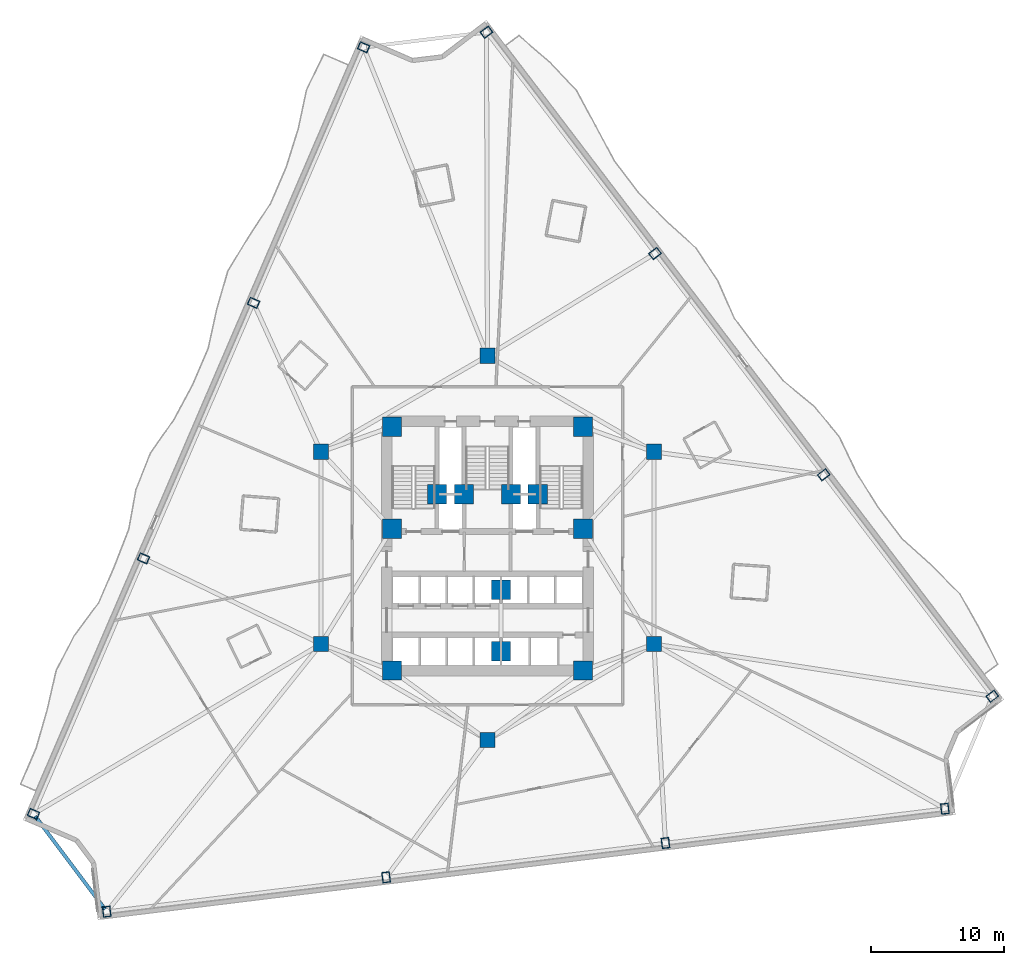
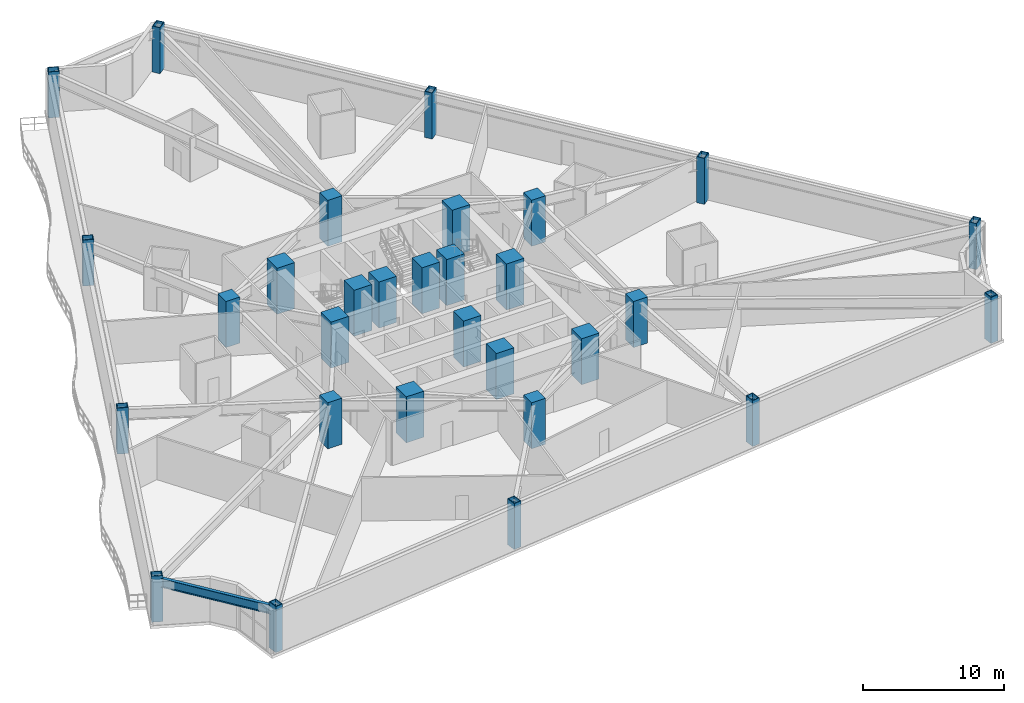
# One storey, part 1 of 14: 30 columns, 1 beam.
"""IFC4 building model written with IfcOpenShell, lengths in metres."""

import ifcopenshell
import ifcopenshell.guid

model = None  # the IFC model being written
_history = None  # IfcOwnerHistory: only IFC2X3 demands one
_inside = {}  # id of a spatial element -> (the spatial element, [elements in it])
_under = {}  # id of a project, library or spatial element -> (it, [spatial elements below it])
_declared = {}  # id of a project -> (the project, [libraries it declares])
_typed = {}  # id of a type object -> (the type object, [elements of that type])
_made_of = {}  # id of a material, layer set ... -> (it, [elements and type objects made of it])


def new_model(schema):
    """Start an empty IFC model of exactly this schema.

    Asked for "IFC4X3", IfcOpenShell would pick the latest addendum, in which some entities
    have other attributes; the version numbers below select the first issue.
    IFC2X3 requires an IfcOwnerHistory on every rooted entity: one is made here for all.
    """
    global model, _history
    if schema == "IFC4X3":
        model = ifcopenshell.file(schema_version=(4, 3, 0, 0))
    else:
        model = ifcopenshell.file(schema=schema)
    _inside.clear()
    _under.clear()
    _declared.clear()
    _typed.clear()
    _made_of.clear()
    _history = None
    if model.schema == "IFC2X3":
        org = make("IfcOrganization", Name="unknown")
        user = make(
            "IfcPersonAndOrganization",
            ThePerson=make("IfcPerson", FamilyName="unknown"),
            TheOrganization=org,
        )
        app = make(
            "IfcApplication",
            ApplicationDeveloper=org,
            Version="unknown",
            ApplicationFullName="unknown",
            ApplicationIdentifier="unknown",
        )
        _history = make(
            "IfcOwnerHistory",
            OwningUser=user,
            OwningApplication=app,
            ChangeAction="ADDED",
            CreationDate=0,
        )
    return model


def make(cls, **values):
    """One entity of the class cls with the attributes given. An attribute that is None is left unset."""
    return model.create_entity(
        cls, **{name: value for name, value in values.items() if value is not None}
    )


def rooted(cls, **values):
    """An entity with a GlobalId (a new one), such as an element, a storey or a relation."""
    return make(cls, GlobalId=ifcopenshell.guid.new(), OwnerHistory=_history, **values)


def si_unit(unit_type, name, prefix=None):
    """IfcSIUnit, for example si_unit("LENGTHUNIT", "METRE", prefix="MILLI")."""
    return make("IfcSIUnit", UnitType=unit_type, Prefix=prefix, Name=name)


def assignment(units):
    """IfcUnitAssignment: the units of a project."""
    return None if units is None else make("IfcUnitAssignment", Units=units)


def point(xyz):
    """IfcCartesianPoint."""
    return None if xyz is None else make("IfcCartesianPoint", Coordinates=xyz)


def direction(xyz):
    """IfcDirection."""
    return None if xyz is None else make("IfcDirection", DirectionRatios=xyz)


def frame(location, z_axis=None, x_axis=None):
    """IfcAxis2Placement3D, a coordinate frame: its origin and axes. An axis left out is left unset."""
    return make(
        "IfcAxis2Placement3D",
        Location=point(location),
        Axis=direction(z_axis),
        RefDirection=direction(x_axis),
    )


def frame_2d(location, x_axis=None):
    """IfcAxis2Placement2D, a coordinate frame in the plane: its origin and x axis."""
    return make(
        "IfcAxis2Placement2D", Location=point(location), RefDirection=direction(x_axis)
    )


def origin():
    """The frame at (0, 0, 0) with its axes left unset."""
    return frame((0.0, 0.0, 0.0))


def origin_2d():
    """The frame at (0, 0) in the plane with its x axis left unset."""
    return frame_2d((0.0, 0.0))


def place(relative_to, where):
    """IfcLocalPlacement: puts the frame where relative to a parent placement (None: the world)."""
    return make(
        "IfcLocalPlacement", PlacementRelTo=relative_to, RelativePlacement=where
    )


def context(
    kind, dimensions, precision=None, world=None, true_north=None, identifier=None
):
    """IfcGeometricRepresentationContext, for example the 3D "Model" context."""
    return make(
        "IfcGeometricRepresentationContext",
        ContextIdentifier=identifier,
        ContextType=kind,
        CoordinateSpaceDimension=dimensions,
        Precision=precision,
        WorldCoordinateSystem=world,
        TrueNorth=true_north,
    )


def subcontext(parent, identifier, kind, view, scale=None):
    """IfcGeometricRepresentationSubContext, for example "Body" below "Model"."""
    return make(
        "IfcGeometricRepresentationSubContext",
        ContextIdentifier=identifier,
        ContextType=kind,
        ParentContext=parent,
        TargetScale=scale,
        TargetView=view,
    )


def project(units=None, contexts=None):
    """IfcProject with its units and contexts."""
    return rooted(
        "IfcProject",
        Name="project",
        RepresentationContexts=contexts,
        UnitsInContext=assignment(units),
    )


def spatial(cls, under=None, at=None, **own):
    """A site, building, storey or space (cls), placed at a placement, below another one or the project."""
    s = rooted(cls, ObjectPlacement=at, **own)
    if under is not None:
        _under.setdefault(under.id(), (under, []))[1].append(s)
    return s


def profile(cls, at=None, kind="AREA", **sizes):
    """A parametric profile (cls). Its sizes go by their IFC names, for example OverallWidth=200.0."""
    return make(cls, ProfileType=kind, Position=at, **sizes)


def rectangle(**sizes):
    """IfcRectangleProfileDef."""
    return profile("IfcRectangleProfileDef", **sizes)


def hollow_rectangle(**sizes):
    """IfcRectangleHollowProfileDef."""
    return profile("IfcRectangleHollowProfileDef", **sizes)


def i_section(**sizes):
    """IfcIShapeProfileDef."""
    return profile("IfcIShapeProfileDef", **sizes)


def extrude(swept, where, along, depth):
    """IfcExtrudedAreaSolid: the profile swept, set in the frame where, extruded along a direction by depth."""
    return make(
        "IfcExtrudedAreaSolid",
        SweptArea=swept,
        Position=where,
        ExtrudedDirection=direction(along),
        Depth=depth,
    )


def shape(context_of_items, identifier, shape_type, items):
    """IfcShapeRepresentation: the items that make up one representation, for example the "Body"."""
    return make(
        "IfcShapeRepresentation",
        ContextOfItems=context_of_items,
        RepresentationIdentifier=identifier,
        RepresentationType=shape_type,
        Items=items,
    )


def material(Name=None, Category=None):
    """IfcMaterial."""
    return make("IfcMaterial", Name=Name, Category=Category)


def material_profile(
    of_material, cross_section, Name=None, Category=None, Priority=None
):
    """IfcMaterialProfile: a cross section and its material."""
    return make(
        "IfcMaterialProfile",
        Name=Name,
        Material=of_material,
        Profile=cross_section,
        Priority=Priority,
        Category=Category,
    )


def profile_set(profiles, Name=None, composite=None):
    """IfcMaterialProfileSet."""
    return make(
        "IfcMaterialProfileSet",
        Name=Name,
        MaterialProfiles=profiles,
        CompositeProfile=composite,
    )


def made_of(thing, what):
    """Note that an element or type object is made of a material, layer set ...; save() writes the relation."""
    if what is not None:
        _made_of.setdefault(what.id(), (what, []))[1].append(thing)
    return thing


def type_object(cls, material=None, **own):
    """A type object (cls), such as IfcWallType, which elements share."""
    return made_of(rooted(cls, **own), material)


def element(
    cls,
    number,
    at=None,
    inside=None,
    cuts=None,
    type_object=None,
    material=None,
    context=None,
    identifier="Body",
    shape_type=None,
    held_by="IfcProductDefinitionShape",
    body=None,
    shapes=None,
    **own,
):
    """One element of the class cls, such as IfcWall. Its Tag is "e" and its number.

    at: its placement. inside: the storey or other place that contains it. cuts: it is an
    opening in that element (IfcRelVoidsElement). A single representation is given by context,
    identifier, shape_type and body (its items); several are given by shapes. held_by: the class
    of the entity that holds the representations. save() writes the other relations.
    """
    e = rooted(cls, Tag="e%d" % number, ObjectPlacement=at, **own)
    if body is not None:
        shapes = [shape(context, identifier, shape_type, body)]
    if shapes is not None:
        e.Representation = make(held_by, Representations=shapes)
    if inside is not None:
        _inside.setdefault(inside.id(), (inside, []))[1].append(e)
    if cuts is not None:
        rooted(
            "IfcRelVoidsElement", RelatingBuildingElement=cuts, RelatedOpeningElement=e
        )
    if type_object is not None:
        _typed.setdefault(type_object.id(), (type_object, []))[1].append(e)
    return made_of(e, material)


def aggregate(whole, parts):
    """IfcRelAggregates: a whole, such as a stair, and the parts it consists of."""
    return rooted("IfcRelAggregates", RelatingObject=whole, RelatedObjects=parts)


def save(model, path):
    """Write the relations noted so far, then the file.

    IfcRelAggregates (storeys below a building ...), IfcRelContainedInSpatialStructure (elements
    in a storey), IfcRelDefinesByType, IfcRelAssociatesMaterial and IfcRelDeclares: one each for
    every whole, place, type object, material and project.
    """
    for whole, parts in _under.values():
        aggregate(whole, parts)
    for where, things in _inside.values():
        rooted(
            "IfcRelContainedInSpatialStructure",
            RelatedElements=things,
            RelatingStructure=where,
        )
    for kind, things in _typed.values():
        rooted("IfcRelDefinesByType", RelatedObjects=things, RelatingType=kind)
    for what, things in _made_of.values():
        rooted("IfcRelAssociatesMaterial", RelatedObjects=things, RelatingMaterial=what)
    for by, libraries in _declared.values():
        rooted("IfcRelDeclares", RelatingContext=by, RelatedDefinitions=libraries)
    model.write(path)


model = new_model("IFC4")

# Units and contexts
model_context = context("Model", 3, precision=1e-05, world=origin(), true_north=direction((0.0, 1.0)))
body_context = subcontext(model_context, "Body", "Model", "MODEL_VIEW")
ifc_project = project(units=[si_unit("LENGTHUNIT", "METRE"), si_unit("AREAUNIT", "SQUARE_METRE"), si_unit("VOLUMEUNIT", "CUBIC_METRE"), si_unit("PLANEANGLEUNIT", "RADIAN"), si_unit("MASSUNIT", "GRAM", prefix="KILO")], contexts=[model_context])

# Site, building, storey
site_placement = place(None, origin())
site = spatial("IfcSite", under=ifc_project, at=site_placement, CompositionType="ELEMENT")
building_placement = place(site_placement, origin())
building = spatial("IfcBuilding", under=site, at=building_placement, Name="Apsidion Concourse Tower", CompositionType="ELEMENT")
storey_placement = place(building_placement, frame((0.0, 0.0, 79.0)))
storey = spatial("IfcBuildingStorey", under=building, at=storey_placement, Name="L17", CompositionType="ELEMENT", Elevation=79.0)

# Columns
ifc_material_1 = material(Name="Structural steel ASTM A572 Grade 50", Category="steel")
ifc_material_profile_1 = material_profile(ifc_material_1, hollow_rectangle(XDim=0.60009765625, YDim=0.800048828125, WallThickness=0.050048828125, at=origin_2d()), Name="BOX800X600X50")
ifc_profile_set_1 = profile_set([ifc_material_profile_1], Name="Structural steel ASTM A572 Grade 50")
column_type_1 = type_object("IfcColumnType", Name="COL-BOX-800", PredefinedType="COLUMN", material=ifc_profile_set_1)
for number, where, z_axis, x_axis, name in (
    (1, (-9.34423828125, 37.77685546875, 0.0), (0.0, 0.0, 1.0), (0.395545502563, 0.918446381343, 0.0), "L17 Rotated Perimeter Column PC01"),
    (2, (-17.64794921875, 18.49462890625, 0.0), (0.0, 0.0, 1.0), (0.395545502563, 0.918446381343, 0.0), "L17 Rotated Perimeter Column PC02"),
    (3, (-25.95166015625, -0.787353515625, 0.0), (0.0, 0.0, 1.0), (0.395545502563, 0.918446381343, 0.0), "L17 Rotated Perimeter Column PC03"),
    (4, (-34.25537109375, -20.069580078125, 0.0), (0.0, 0.0, 1.0), (0.395545502563, 0.918446381343, 0.0), "L17 Rotated Perimeter Column PC04"),
    (5, (-28.72802734375, -27.4443359375, 0.0), (0.0, 0.0, 1.0), (0.992546151641, 0.121869343405, 0.0), "L17 Rotated Perimeter Column PC05"),
    (6, (-7.647216796875, -24.85595703125, 0.0), (0.0, 0.0, 1.0), (0.992546151641, 0.121869343405, 0.0), "L17 Rotated Perimeter Column PC06"),
    (7, (13.433349609375, -22.267578125, 0.0), (0.0, 0.0, 1.0), (0.992546151641, 0.121869343405, 0.0), "L17 Rotated Perimeter Column PC07"),
    (8, (34.51416015625, -19.67919921875, 0.0), (0.0, 0.0, 1.0), (0.992546151641, 0.121869343405, 0.0), "L17 Rotated Perimeter Column PC08"),
    (9, (38.093017578125, -11.186279296875, 0.0), (0.0, 0.0, 1.0), (-0.605988400266, 0.795473480855, 0.0), "L17 Rotated Perimeter Column PC09"),
    (10, (25.371337890625, 5.514404296875, 0.0), (0.0, 0.0, 1.0), (-0.605988400266, 0.795473480855, 0.0), "L17 Rotated Perimeter Column PC10"),
    (11, (12.6494140625, 22.214599609375, 0.0), (0.0, 0.0, 1.0), (-0.605988400266, 0.795473480855, 0.0), "L17 Rotated Perimeter Column PC11"),
    (12, (-0.072265625, 38.915283203125, 0.0), (0.0, 0.0, 1.0), (-0.605988400266, 0.795473480855, 0.0), "L17 Rotated Perimeter Column PC12"),
):
    element("IfcColumn", number, at=place(storey_placement, frame(where, z_axis=z_axis, x_axis=x_axis)), inside=storey, type_object=column_type_1, Name=name, PredefinedType="COLUMN", context=body_context, shape_type="SweptSolid", body=[
        extrude(hollow_rectangle(XDim=0.60009765625, YDim=0.800048828125, WallThickness=0.050048828125, at=origin_2d()), origin(), (0.0, 0.0, 1.0), 4.0),
    ])
ifc_material_2 = material(Name="Concrete C50/60", Category="concrete")
ifc_material_profile_2 = material_profile(ifc_material_2, rectangle(XDim=1.14990234375, YDim=1.14990234375, at=origin_2d()), Name="RC 1150x1150")
ifc_profile_set_2 = profile_set([ifc_material_profile_2], Name="Concrete C50/60")
column_type_2 = type_object("IfcColumnType", Name="COL-RC-1150", PredefinedType="COLUMN", material=ifc_profile_set_2)
for number, where, z_axis, x_axis, name in (
    (13, (-12.56005859375, -7.25, 0.0), (0.0, 0.0, 1.0), (1.0, 0.0, 0.0), "L17 Interior Spine Column IC1"),
    (14, (12.56005859375, -7.25, 0.0), (0.0, 0.0, 1.0), (1.0, 0.0, 0.0), "L17 Interior Spine Column IC2"),
    (15, (12.56005859375, 7.25, 0.0), (0.0, 0.0, 1.0), (1.0, 0.0, 0.0), "L17 Interior Spine Column IC3"),
    (16, (0.0, 14.5, 0.0), (0.0, 0.0, 1.0), (1.0, 0.0, 0.0), "L17 Interior Spine Column IC4"),
    (17, (-12.56005859375, 7.25, 0.0), (0.0, 0.0, 1.0), (1.0, 0.0, 0.0), "L17 Interior Spine Column IC5"),
    (18, (0.0, -14.5, 0.0), (0.0, 0.0, 1.0), (1.0, 0.0, 0.0), "L17 Interior Spine Column IC6"),
):
    element("IfcColumn", number, at=place(storey_placement, frame(where, z_axis=z_axis, x_axis=x_axis)), inside=storey, type_object=column_type_2, Name=name, PredefinedType="COLUMN", context=body_context, shape_type="SweptSolid", body=[
        extrude(rectangle(XDim=1.14990234375, YDim=1.14990234375, at=origin_2d()), origin(), (0.0, 0.0, 1.0), 4.0),
    ])
ifc_material_3 = material(Name="Concrete C60/75", Category="concrete")
ifc_material_profile_3 = material_profile(ifc_material_3, rectangle(XDim=1.449951171875, YDim=1.449951171875, at=origin_2d()), Name="RC 1450x1450")
ifc_profile_set_3 = profile_set([ifc_material_profile_3], Name="Concrete C60/75")
column_type_3 = type_object("IfcColumnType", Name="COL-RC-1450", PredefinedType="COLUMN", material=ifc_profile_set_3)
for number, where, z_axis, x_axis, name in (
    (19, (-7.199951171875, -9.25, 0.0), (0.0, 0.0, 1.0), (1.0, 0.0, 0.0), "L17 Core Super-Column SC1"),
    (20, (7.199951171875, -9.25, 0.0), (0.0, 0.0, 1.0), (1.0, 0.0, 0.0), "L17 Core Super-Column SC2"),
    (21, (7.199951171875, 1.449951171875, 0.0), (0.0, 0.0, 1.0), (1.0, 0.0, 0.0), "L17 Core Super-Column SC3"),
    (22, (7.199951171875, 9.14990234375, 0.0), (0.0, 0.0, 1.0), (1.0, 0.0, 0.0), "L17 Core Super-Column SC4"),
    (23, (-7.199951171875, 9.14990234375, 0.0), (0.0, 0.0, 1.0), (1.0, 0.0, 0.0), "L17 Core Super-Column SC5"),
    (24, (-7.199951171875, 1.449951171875, 0.0), (0.0, 0.0, 1.0), (1.0, 0.0, 0.0), "L17 Core Super-Column SC6"),
    (25, (-3.800048828125, 4.050048828125, 0.0), (0.0, 0.0, 1.0), (1.0, 0.0, 0.0), "L17 Core Super-Column CC1"),
    (26, (3.800048828125, 4.050048828125, 0.0), (0.0, 0.0, 1.0), (1.0, 0.0, 0.0), "L17 Core Super-Column CC2"),
    (27, (-1.77490234375, 4.050048828125, 0.0), (0.0, 0.0, 1.0), (1.0, 0.0, 0.0), "L17 Core Super-Column CC3"),
    (28, (1.77490234375, 4.050048828125, 0.0), (0.0, 0.0, 1.0), (1.0, 0.0, 0.0), "L17 Core Super-Column CC4"),
    (29, (1.02490234375, -3.14990234375, 0.0), (0.0, 0.0, 1.0), (1.0, 0.0, 0.0), "L17 Core Super-Column CC5"),
    (30, (1.02490234375, -7.800048828125, 0.0), (0.0, 0.0, 1.0), (1.0, 0.0, 0.0), "L17 Core Super-Column CC6"),
):
    element("IfcColumn", number, at=place(storey_placement, frame(where, z_axis=z_axis, x_axis=x_axis)), inside=storey, type_object=column_type_3, Name=name, PredefinedType="COLUMN", context=body_context, shape_type="SweptSolid", body=[
        extrude(rectangle(XDim=1.449951171875, YDim=1.449951171875, at=origin_2d()), origin(), (0.0, 0.0, 1.0), 4.0),
    ])

# Beam
ifc_material_4 = material(Name="Structural steel ASTM A992 Grade 50", Category="steel")
ifc_material_profile_4 = material_profile(ifc_material_4, i_section(OverallWidth=0.26806640625, OverallDepth=0.77001953125, WebThickness=0.015625, FlangeThickness=0.025390625, at=origin_2d()), Name="W30X132")
ifc_profile_set_4 = profile_set([ifc_material_profile_4], Name="Structural steel ASTM A992 Grade 50")
beam_type = type_object("IfcBeamType", Name="BM-SP-W30", PredefinedType="SPANDREL", material=ifc_profile_set_4)
beam_placement = place(storey_placement, frame((-34.12353515625, -20.24560546875, 3.364990234375), z_axis=(0.59973736177, -0.800196911327, 0.0), x_axis=(0.800196911327, 0.59973736177, 0.0)))
element("IfcBeam", 31, at=beam_placement, inside=storey, type_object=beam_type, Name="L17 Perimeter Spandrel Girder SP-04", PredefinedType="SPANDREL", context=body_context, shape_type="SweptSolid", body=[
    extrude(i_section(OverallWidth=0.26806640625, OverallDepth=0.77001953125, WebThickness=0.015625, FlangeThickness=0.025390625, at=origin_2d()), origin(), (0.0, 0.0, 1.0), 8.776123046875),
])

save(model, "model.ifc")
